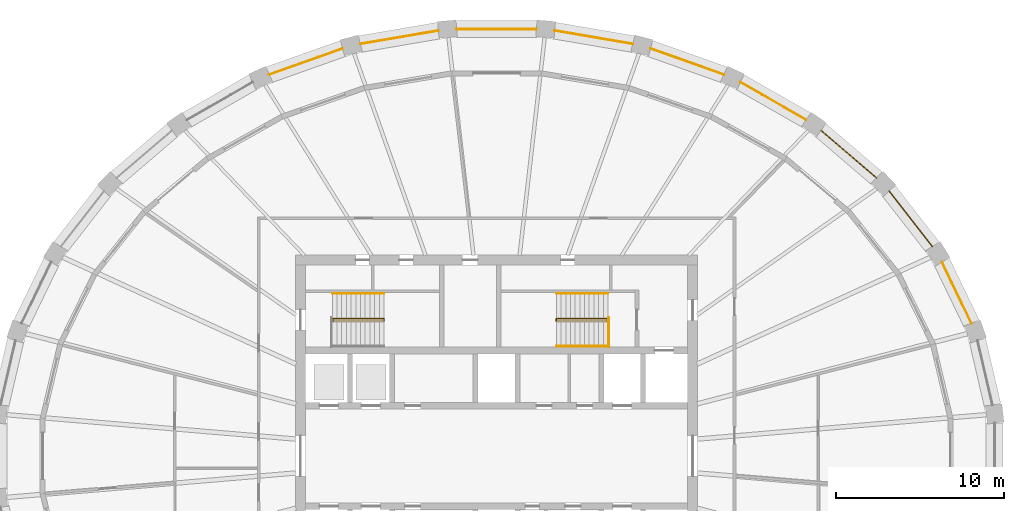
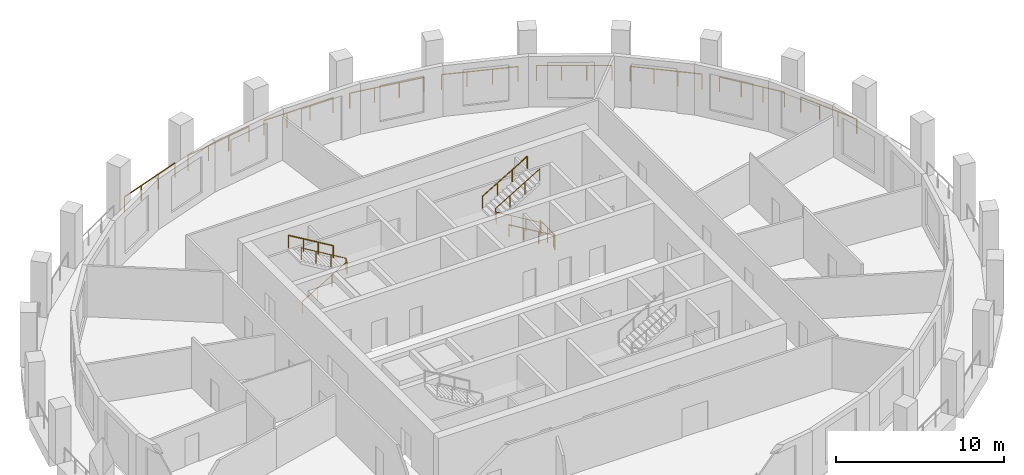
# One storey, part 9 of 10: 15 railings.
"""IFC4 building model written with IfcOpenShell, lengths in metres."""

import ifcopenshell
import ifcopenshell.guid

model = None  # the IFC model being written
_history = None  # IfcOwnerHistory: only IFC2X3 demands one
_inside = {}  # id of a spatial element -> (the spatial element, [elements in it])
_under = {}  # id of a project, library or spatial element -> (it, [spatial elements below it])
_declared = {}  # id of a project -> (the project, [libraries it declares])
_typed = {}  # id of a type object -> (the type object, [elements of that type])
_made_of = {}  # id of a material, layer set ... -> (it, [elements and type objects made of it])


def new_model(schema):
    """Start an empty IFC model of exactly this schema.

    Asked for "IFC4X3", IfcOpenShell would pick the latest addendum, in which some entities
    have other attributes; the version numbers below select the first issue.
    IFC2X3 requires an IfcOwnerHistory on every rooted entity: one is made here for all.
    """
    global model, _history
    if schema == "IFC4X3":
        model = ifcopenshell.file(schema_version=(4, 3, 0, 0))
    else:
        model = ifcopenshell.file(schema=schema)
    _inside.clear()
    _under.clear()
    _declared.clear()
    _typed.clear()
    _made_of.clear()
    _history = None
    if model.schema == "IFC2X3":
        org = make("IfcOrganization", Name="unknown")
        user = make(
            "IfcPersonAndOrganization",
            ThePerson=make("IfcPerson", FamilyName="unknown"),
            TheOrganization=org,
        )
        app = make(
            "IfcApplication",
            ApplicationDeveloper=org,
            Version="unknown",
            ApplicationFullName="unknown",
            ApplicationIdentifier="unknown",
        )
        _history = make(
            "IfcOwnerHistory",
            OwningUser=user,
            OwningApplication=app,
            ChangeAction="ADDED",
            CreationDate=0,
        )
    return model


def make(cls, **values):
    """One entity of the class cls with the attributes given. An attribute that is None is left unset."""
    return model.create_entity(
        cls, **{name: value for name, value in values.items() if value is not None}
    )


def rooted(cls, **values):
    """An entity with a GlobalId (a new one), such as an element, a storey or a relation."""
    return make(cls, GlobalId=ifcopenshell.guid.new(), OwnerHistory=_history, **values)


def si_unit(unit_type, name, prefix=None):
    """IfcSIUnit, for example si_unit("LENGTHUNIT", "METRE", prefix="MILLI")."""
    return make("IfcSIUnit", UnitType=unit_type, Prefix=prefix, Name=name)


def assignment(units):
    """IfcUnitAssignment: the units of a project."""
    return None if units is None else make("IfcUnitAssignment", Units=units)


def point(xyz):
    """IfcCartesianPoint."""
    return None if xyz is None else make("IfcCartesianPoint", Coordinates=xyz)


def direction(xyz):
    """IfcDirection."""
    return None if xyz is None else make("IfcDirection", DirectionRatios=xyz)


def frame(location, z_axis=None, x_axis=None):
    """IfcAxis2Placement3D, a coordinate frame: its origin and axes. An axis left out is left unset."""
    return make(
        "IfcAxis2Placement3D",
        Location=point(location),
        Axis=direction(z_axis),
        RefDirection=direction(x_axis),
    )


def frame_2d(location, x_axis=None):
    """IfcAxis2Placement2D, a coordinate frame in the plane: its origin and x axis."""
    return make(
        "IfcAxis2Placement2D", Location=point(location), RefDirection=direction(x_axis)
    )


def origin():
    """The frame at (0, 0, 0) with its axes left unset."""
    return frame((0.0, 0.0, 0.0))


def origin_2d():
    """The frame at (0, 0) in the plane with its x axis left unset."""
    return frame_2d((0.0, 0.0))


def place(relative_to, where):
    """IfcLocalPlacement: puts the frame where relative to a parent placement (None: the world)."""
    return make(
        "IfcLocalPlacement", PlacementRelTo=relative_to, RelativePlacement=where
    )


def context(
    kind, dimensions, precision=None, world=None, true_north=None, identifier=None
):
    """IfcGeometricRepresentationContext, for example the 3D "Model" context."""
    return make(
        "IfcGeometricRepresentationContext",
        ContextIdentifier=identifier,
        ContextType=kind,
        CoordinateSpaceDimension=dimensions,
        Precision=precision,
        WorldCoordinateSystem=world,
        TrueNorth=true_north,
    )


def subcontext(parent, identifier, kind, view, scale=None):
    """IfcGeometricRepresentationSubContext, for example "Body" below "Model"."""
    return make(
        "IfcGeometricRepresentationSubContext",
        ContextIdentifier=identifier,
        ContextType=kind,
        ParentContext=parent,
        TargetScale=scale,
        TargetView=view,
    )


def project(units=None, contexts=None):
    """IfcProject with its units and contexts."""
    return rooted(
        "IfcProject",
        Name="project",
        RepresentationContexts=contexts,
        UnitsInContext=assignment(units),
    )


def spatial(cls, under=None, at=None, **own):
    """A site, building, storey or space (cls), placed at a placement, below another one or the project."""
    s = rooted(cls, ObjectPlacement=at, **own)
    if under is not None:
        _under.setdefault(under.id(), (under, []))[1].append(s)
    return s


def profile(cls, at=None, kind="AREA", **sizes):
    """A parametric profile (cls). Its sizes go by their IFC names, for example OverallWidth=200.0."""
    return make(cls, ProfileType=kind, Position=at, **sizes)


def circle(**sizes):
    """IfcCircleProfileDef."""
    return profile("IfcCircleProfileDef", **sizes)


def extrude(swept, where, along, depth):
    """IfcExtrudedAreaSolid: the profile swept, set in the frame where, extruded along a direction by depth."""
    return make(
        "IfcExtrudedAreaSolid",
        SweptArea=swept,
        Position=where,
        ExtrudedDirection=direction(along),
        Depth=depth,
    )


def shape(context_of_items, identifier, shape_type, items):
    """IfcShapeRepresentation: the items that make up one representation, for example the "Body"."""
    return make(
        "IfcShapeRepresentation",
        ContextOfItems=context_of_items,
        RepresentationIdentifier=identifier,
        RepresentationType=shape_type,
        Items=items,
    )


def material(Name=None, Category=None):
    """IfcMaterial."""
    return make("IfcMaterial", Name=Name, Category=Category)


def made_of(thing, what):
    """Note that an element or type object is made of a material, layer set ...; save() writes the relation."""
    if what is not None:
        _made_of.setdefault(what.id(), (what, []))[1].append(thing)
    return thing


def type_object(cls, material=None, **own):
    """A type object (cls), such as IfcWallType, which elements share."""
    return made_of(rooted(cls, **own), material)


def element(
    cls,
    number,
    at=None,
    inside=None,
    cuts=None,
    type_object=None,
    material=None,
    context=None,
    identifier="Body",
    shape_type=None,
    held_by="IfcProductDefinitionShape",
    body=None,
    shapes=None,
    **own,
):
    """One element of the class cls, such as IfcWall. Its Tag is "e" and its number.

    at: its placement. inside: the storey or other place that contains it. cuts: it is an
    opening in that element (IfcRelVoidsElement). A single representation is given by context,
    identifier, shape_type and body (its items); several are given by shapes. held_by: the class
    of the entity that holds the representations. save() writes the other relations.
    """
    e = rooted(cls, Tag="e%d" % number, ObjectPlacement=at, **own)
    if body is not None:
        shapes = [shape(context, identifier, shape_type, body)]
    if shapes is not None:
        e.Representation = make(held_by, Representations=shapes)
    if inside is not None:
        _inside.setdefault(inside.id(), (inside, []))[1].append(e)
    if cuts is not None:
        rooted(
            "IfcRelVoidsElement", RelatingBuildingElement=cuts, RelatedOpeningElement=e
        )
    if type_object is not None:
        _typed.setdefault(type_object.id(), (type_object, []))[1].append(e)
    return made_of(e, material)


def aggregate(whole, parts):
    """IfcRelAggregates: a whole, such as a stair, and the parts it consists of."""
    return rooted("IfcRelAggregates", RelatingObject=whole, RelatedObjects=parts)


def save(model, path):
    """Write the relations noted so far, then the file.

    IfcRelAggregates (storeys below a building ...), IfcRelContainedInSpatialStructure (elements
    in a storey), IfcRelDefinesByType, IfcRelAssociatesMaterial and IfcRelDeclares: one each for
    every whole, place, type object, material and project.
    """
    for whole, parts in _under.values():
        aggregate(whole, parts)
    for where, things in _inside.values():
        rooted(
            "IfcRelContainedInSpatialStructure",
            RelatedElements=things,
            RelatingStructure=where,
        )
    for kind, things in _typed.values():
        rooted("IfcRelDefinesByType", RelatedObjects=things, RelatingType=kind)
    for what, things in _made_of.values():
        rooted("IfcRelAssociatesMaterial", RelatedObjects=things, RelatingMaterial=what)
    for by, libraries in _declared.values():
        rooted("IfcRelDeclares", RelatingContext=by, RelatedDefinitions=libraries)
    model.write(path)


model = new_model("IFC4")

# Units and contexts
model_context = context("Model", 3, precision=1e-05, world=origin(), true_north=direction((0.0, 1.0)))
body_context = subcontext(model_context, "Body", "Model", "MODEL_VIEW")
ifc_project = project(units=[si_unit("LENGTHUNIT", "METRE"), si_unit("AREAUNIT", "SQUARE_METRE"), si_unit("VOLUMEUNIT", "CUBIC_METRE"), si_unit("PLANEANGLEUNIT", "RADIAN"), si_unit("MASSUNIT", "GRAM", prefix="KILO")], contexts=[model_context])

# Site, building, storey
site_placement = place(None, origin())
site = spatial("IfcSite", under=ifc_project, at=site_placement, CompositionType="ELEMENT")
building_placement = place(site_placement, origin())
building = spatial("IfcBuilding", under=site, at=building_placement, Name="Halqa Exchange Tower", CompositionType="ELEMENT")
storey_placement = place(building_placement, frame((0.0, 0.0, 268.300048828125)))
storey = spatial("IfcBuildingStorey", under=building, at=storey_placement, Name="L62", CompositionType="ELEMENT", Elevation=268.300048828125)

# Railings
ifc_material = material(Name="Stainless steel", Category="steel")
railing_type_1 = type_object("IfcRailingType", Name="Guard 1100 stainless steel", PredefinedType="GUARDRAIL", material=ifc_material)
railing_1_placement = place(storey_placement, frame((28.343017578125, 7.927001953125, 0.0)))
element("IfcRailing", 1, at=railing_1_placement, inside=storey, type_object=railing_type_1, Name="Loggia guard 2", PredefinedType="GUARDRAIL", context=body_context, shape_type="SweptSolid", body=[
    extrude(circle(Radius=0.02392578125, at=origin_2d()), frame((0.0, 0.0, 1.076171875), z_axis=(-0.435140153369, 0.900362730751, 0.0), x_axis=(-0.900362730751, -0.435140153369, 0.0)), (0.0, 0.0, 1.0), 4.0498046875),
    extrude(circle(Radius=0.02099609375, at=origin_2d()), origin(), (0.0, 0.0, 1.0), 1.052001953125),
    extrude(circle(Radius=0.02099609375, at=origin_2d()), frame((-0.58740234375, 1.21533203125, 0.0)), (0.0, 0.0, 1.0), 1.052001953125),
    extrude(circle(Radius=0.02099609375, at=origin_2d()), frame((-1.1748046875, 2.430908203125, 0.0)), (0.0, 0.0, 1.0), 1.052001953125),
    extrude(circle(Radius=0.02099609375, at=origin_2d()), frame((-1.76220703125, 3.646240234375, 0.0)), (0.0, 0.0, 1.0), 1.052001953125),
])
railing_2_placement = place(storey_placement, frame((26.00341796875, 12.502197265625, 0.0)))
element("IfcRailing", 2, at=railing_2_placement, inside=storey, type_object=railing_type_1, Name="Loggia guard 3", PredefinedType="GUARDRAIL", context=body_context, shape_type="SweptSolid", body=[
    extrude(circle(Radius=0.02392578125, at=origin_2d()), frame((0.0, 0.0, 1.076171875), z_axis=(-0.614799253617, 0.788683636036, 0.0), x_axis=(-0.788683636036, -0.614799253617, 0.0)), (0.0, 0.0, 1.0), 4.191162109375),
    extrude(circle(Radius=0.02099609375, at=origin_2d()), origin(), (0.0, 0.0, 1.0), 1.052001953125),
    extrude(circle(Radius=0.02099609375, at=origin_2d()), frame((-0.85888671875, 1.101806640625, 0.0)), (0.0, 0.0, 1.0), 1.052001953125),
    extrude(circle(Radius=0.02099609375, at=origin_2d()), frame((-1.7177734375, 2.20361328125, 0.0)), (0.0, 0.0, 1.0), 1.052001953125),
    extrude(circle(Radius=0.02099609375, at=origin_2d()), frame((-2.57666015625, 3.305419921875, 0.0)), (0.0, 0.0, 1.0), 1.052001953125),
])
railing_3_placement = place(storey_placement, frame((22.6708984375, 16.599365234375, 0.0)))
element("IfcRailing", 3, at=railing_3_placement, inside=storey, type_object=railing_type_1, Name="Loggia guard 4", PredefinedType="GUARDRAIL", context=body_context, shape_type="SweptSolid", body=[
    extrude(circle(Radius=0.02392578125, at=origin_2d()), frame((0.0, 0.0, 1.076171875), z_axis=(-0.759232847893, 0.650819085983, 0.0), x_axis=(-0.650819085983, -0.759232847893, 0.0)), (0.0, 0.0, 1.0), 4.35302734375),
    extrude(circle(Radius=0.02099609375, at=origin_2d()), origin(), (0.0, 0.0, 1.0), 1.052001953125),
    extrude(circle(Radius=0.02099609375, at=origin_2d()), frame((-1.1015625, 0.9443359375, 0.0)), (0.0, 0.0, 1.0), 1.052001953125),
    extrude(circle(Radius=0.02099609375, at=origin_2d()), frame((-2.203369140625, 1.888671875, 0.0)), (0.0, 0.0, 1.0), 1.052001953125),
    extrude(circle(Radius=0.02099609375, at=origin_2d()), frame((-3.304931640625, 2.8330078125, 0.0)), (0.0, 0.0, 1.0), 1.052001953125),
])
railing_4_placement = place(storey_placement, frame((18.470947265625, 20.0634765625, 0.0)))
element("IfcRailing", 4, at=railing_4_placement, inside=storey, type_object=railing_type_1, Name="Loggia guard 5", PredefinedType="GUARDRAIL", context=body_context, shape_type="SweptSolid", body=[
    extrude(circle(Radius=0.02392578125, at=origin_2d()), frame((0.0, 0.0, 1.076171875), z_axis=(-0.867743048919, 0.497013079357, 0.0), x_axis=(-0.497013079357, -0.867743048919, 0.0)), (0.0, 0.0, 1.0), 4.51025390625),
    extrude(circle(Radius=0.02099609375, at=origin_2d()), origin(), (0.0, 0.0, 1.0), 1.052001953125),
    extrude(circle(Radius=0.02099609375, at=origin_2d()), frame((-1.3046875, 0.747314453125, 0.0)), (0.0, 0.0, 1.0), 1.052001953125),
    extrude(circle(Radius=0.02099609375, at=origin_2d()), frame((-2.609130859375, 1.494384765625, 0.0)), (0.0, 0.0, 1.0), 1.052001953125),
    extrude(circle(Radius=0.02099609375, at=origin_2d()), frame((-3.913818359375, 2.24169921875, 0.0)), (0.0, 0.0, 1.0), 1.052001953125),
])
railing_5_placement = place(storey_placement, frame((13.5615234375, 22.762451171875, 0.0)))
element("IfcRailing", 5, at=railing_5_placement, inside=storey, type_object=railing_type_1, Name="Loggia guard 6", PredefinedType="GUARDRAIL", context=body_context, shape_type="SweptSolid", body=[
    extrude(circle(Radius=0.02392578125, at=origin_2d()), frame((0.0, 0.0, 1.076171875), z_axis=(-0.942353373352, 0.334619365447, 0.0), x_axis=(-0.334619365447, -0.942353373352, 0.0)), (0.0, 0.0, 1.0), 4.640380859375),
    extrude(circle(Radius=0.02099609375, at=origin_2d()), origin(), (0.0, 0.0, 1.0), 1.052001953125),
    extrude(circle(Radius=0.02099609375, at=origin_2d()), frame((-1.45751953125, 0.517578125, 0.0)), (0.0, 0.0, 1.0), 1.052001953125),
    extrude(circle(Radius=0.02099609375, at=origin_2d()), frame((-2.915283203125, 1.03515625, 0.0)), (0.0, 0.0, 1.0), 1.052001953125),
    extrude(circle(Radius=0.02099609375, at=origin_2d()), frame((-4.372802734375, 1.552734375, 0.0)), (0.0, 0.0, 1.0), 1.052001953125),
])
railing_6_placement = place(storey_placement, frame((8.128173828125, 24.591552734375, 0.0)))
element("IfcRailing", 6, at=railing_6_placement, inside=storey, type_object=railing_type_1, Name="Loggia guard 7", PredefinedType="GUARDRAIL", context=body_context, shape_type="SweptSolid", body=[
    extrude(circle(Radius=0.02392578125, at=origin_2d()), frame((0.0, 0.0, 1.076171875), z_axis=(-0.985776950658, 0.168058928803, 0.0), x_axis=(-0.168058928803, -0.985776950658, 0.0)), (0.0, 0.0, 1.0), 4.7255859375),
    extrude(circle(Radius=0.02099609375, at=origin_2d()), origin(), (0.0, 0.0, 1.0), 1.052001953125),
    extrude(circle(Radius=0.02099609375, at=origin_2d()), frame((-1.552734375, 0.2646484375, 0.0)), (0.0, 0.0, 1.0), 1.052001953125),
    extrude(circle(Radius=0.02099609375, at=origin_2d()), frame((-3.105712890625, 0.529541015625, 0.0)), (0.0, 0.0, 1.0), 1.052001953125),
    extrude(circle(Radius=0.02099609375, at=origin_2d()), frame((-4.658447265625, 0.794189453125, 0.0)), (0.0, 0.0, 1.0), 1.052001953125),
])
railing_7_placement = place(storey_placement, frame((2.377685546875, 25.478271484375, 0.0)))
element("IfcRailing", 7, at=railing_7_placement, inside=storey, type_object=railing_type_1, Name="Loggia guard 8", PredefinedType="GUARDRAIL", context=body_context, shape_type="SweptSolid", body=[
    extrude(circle(Radius=0.02392578125, at=origin_2d()), frame((0.0, 0.0, 1.076171875), z_axis=(-1.0, 0.0, 0.0), x_axis=(0.0, -1.0, 0.0)), (0.0, 0.0, 1.0), 4.75537109375),
    extrude(circle(Radius=0.02099609375, at=origin_2d()), origin(), (0.0, 0.0, 1.0), 1.052001953125),
    extrude(circle(Radius=0.02099609375, at=origin_2d()), frame((-1.585205078125, 0.0, 0.0)), (0.0, 0.0, 1.0), 1.052001953125),
    extrude(circle(Radius=0.02099609375, at=origin_2d()), frame((-3.170166015625, 0.0, 0.0)), (0.0, 0.0, 1.0), 1.052001953125),
    extrude(circle(Radius=0.02099609375, at=origin_2d()), frame((-4.75537109375, 0.0, 0.0)), (0.0, 0.0, 1.0), 1.052001953125),
])
railing_8_placement = place(storey_placement, frame((-3.4697265625, 25.3857421875, 0.0)))
element("IfcRailing", 8, at=railing_8_placement, inside=storey, type_object=railing_type_1, Name="Loggia guard 9", PredefinedType="GUARDRAIL", context=body_context, shape_type="SweptSolid", body=[
    extrude(circle(Radius=0.02392578125, at=origin_2d()), frame((0.0, 0.0, 1.076171875), z_axis=(-0.985776950658, -0.168058928803, 0.0), x_axis=(0.168058928803, -0.985776950658, 0.0)), (0.0, 0.0, 1.0), 4.7255859375),
    extrude(circle(Radius=0.02099609375, at=origin_2d()), origin(), (0.0, 0.0, 1.0), 1.052001953125),
    extrude(circle(Radius=0.02099609375, at=origin_2d()), frame((-1.552734375, -0.2646484375, 0.0)), (0.0, 0.0, 1.0), 1.052001953125),
    extrude(circle(Radius=0.02099609375, at=origin_2d()), frame((-3.105712890625, -0.529541015625, 0.0)), (0.0, 0.0, 1.0), 1.052001953125),
    extrude(circle(Radius=0.02099609375, at=origin_2d()), frame((-4.658447265625, -0.794189453125, 0.0)), (0.0, 0.0, 1.0), 1.052001953125),
])
railing_9_placement = place(storey_placement, frame((-9.188720703125, 24.315185546875, 0.0)))
element("IfcRailing", 9, at=railing_9_placement, inside=storey, type_object=railing_type_1, Name="Loggia guard 10", PredefinedType="GUARDRAIL", context=body_context, shape_type="SweptSolid", body=[
    extrude(circle(Radius=0.02392578125, at=origin_2d()), frame((0.0, 0.0, 1.076171875), z_axis=(-0.942353373352, -0.334619365447, 0.0), x_axis=(0.334619365447, -0.942353373352, 0.0)), (0.0, 0.0, 1.0), 4.640380859375),
    extrude(circle(Radius=0.02099609375, at=origin_2d()), origin(), (0.0, 0.0, 1.0), 1.052001953125),
    extrude(circle(Radius=0.02099609375, at=origin_2d()), frame((-1.45751953125, -0.517578125, 0.0)), (0.0, 0.0, 1.0), 1.052001953125),
    extrude(circle(Radius=0.02099609375, at=origin_2d()), frame((-2.915283203125, -1.03515625, 0.0)), (0.0, 0.0, 1.0), 1.052001953125),
    extrude(circle(Radius=0.02099609375, at=origin_2d()), frame((-4.372802734375, -1.552734375, 0.0)), (0.0, 0.0, 1.0), 1.052001953125),
])
railing_type_2 = type_object("IfcRailingType", Name="Stair handrail 900", PredefinedType="HANDRAIL", material=ifc_material)
railing_10_placement = place(storey_placement, frame((-9.800048828125, 8.06005859375, 0.166748046875)))
element("IfcRailing", 10, at=railing_10_placement, inside=storey, type_object=railing_type_2, Name="Handrail ST1.1", PredefinedType="HANDRAIL", context=body_context, shape_type="SweptSolid", body=[
    extrude(circle(Radius=0.02392578125, at=origin_2d()), frame((0.0, 0.0, 0.8759765625), z_axis=(0.859308565015, 0.0, 0.511457515432), x_axis=(0.0, 1.0, 0.0)), (0.0, 0.0, 1.0), 3.58447265625),
    extrude(circle(Radius=0.02392578125, at=origin_2d()), frame((3.080078125, 0.0, 2.708984375), z_axis=(0.0, 0.614500226555, 0.788916644243), x_axis=(-1.0, 0.0, 0.0)), (0.0, 0.0, 1.0), 0.21142578125),
    extrude(circle(Radius=0.02392578125, at=origin_2d()), frame((3.080078125, 0.1298828125, 2.8759765625), z_axis=(-0.859308565015, 0.0, 0.511457515432), x_axis=(0.0, -1.0, 0.0)), (0.0, 0.0, 1.0), 3.58447265625),
    extrude(circle(Radius=0.02099609375, at=origin_2d()), origin(), (0.0, 0.0, 1.0), 0.851806640625),
    extrude(circle(Radius=0.02099609375, at=origin_2d()), frame((1.026611328125, 0.0, 0.611083984375)), (0.0, 0.0, 1.0), 0.851806640625),
    extrude(circle(Radius=0.02099609375, at=origin_2d()), frame((2.053466796875, 0.0, 1.22216796875)), (0.0, 0.0, 1.0), 0.851806640625),
    extrude(circle(Radius=0.02099609375, at=origin_2d()), frame((3.080078125, 0.0, 1.833251953125)), (0.0, 0.0, 1.0), 0.851806640625),
    extrude(circle(Radius=0.02099609375, at=origin_2d()), frame((3.080078125, 0.1298828125, 2.0)), (0.0, 0.0, 1.0), 0.851806640625),
    extrude(circle(Radius=0.02099609375, at=origin_2d()), frame((2.053466796875, 0.1298828125, 2.611083984375)), (0.0, 0.0, 1.0), 0.851806640625),
    extrude(circle(Radius=0.02099609375, at=origin_2d()), frame((1.026611328125, 0.1298828125, 3.22216796875)), (0.0, 0.0, 1.0), 0.851806640625),
    extrude(circle(Radius=0.02099609375, at=origin_2d()), frame((0.0, 0.1298828125, 3.833251953125)), (0.0, 0.0, 1.0), 0.851806640625),
])
railing_11_placement = place(storey_placement, frame((-6.719970703125, 9.699951171875, 2.166748046875)))
element("IfcRailing", 11, at=railing_11_placement, inside=storey, type_object=railing_type_2, Name="Handrail ST1.3", PredefinedType="HANDRAIL", context=body_context, shape_type="SweptSolid", body=[
    extrude(circle(Radius=0.02392578125, at=origin_2d()), frame((0.0, 0.0, 0.8759765625), z_axis=(-0.859308565015, 0.0, 0.511457515432), x_axis=(0.0, -1.0, 0.0)), (0.0, 0.0, 1.0), 3.58447265625),
    extrude(circle(Radius=0.02099609375, at=origin_2d()), origin(), (0.0, 0.0, 1.0), 0.851806640625),
    extrude(circle(Radius=0.02099609375, at=origin_2d()), frame((-1.026611328125, 0.0, 0.611083984375)), (0.0, 0.0, 1.0), 0.851806640625),
    extrude(circle(Radius=0.02099609375, at=origin_2d()), frame((-2.053466796875, 0.0, 1.22216796875)), (0.0, 0.0, 1.0), 0.851806640625),
    extrude(circle(Radius=0.02099609375, at=origin_2d()), frame((-3.080078125, 0.0, 1.833251953125)), (0.0, 0.0, 1.0), 0.851806640625),
])
railing_12_placement = place(storey_placement, frame((6.64990234375, 8.06005859375, 0.166748046875)))
element("IfcRailing", 12, at=railing_12_placement, inside=storey, type_object=railing_type_2, Name="Handrail ST2.1", PredefinedType="HANDRAIL", context=body_context, shape_type="SweptSolid", body=[
    extrude(circle(Radius=0.02392578125, at=origin_2d()), frame((0.0, 0.0, 0.8759765625), z_axis=(-0.859290745958, 0.0, 0.51148745235), x_axis=(0.0, -1.0, 0.0)), (0.0, 0.0, 1.0), 3.584228515625),
    extrude(circle(Radius=0.02392578125, at=origin_2d()), frame((-3.079833984375, 0.0, 2.708984375), z_axis=(0.0, 0.614500226555, 0.788916644243), x_axis=(-1.0, 0.0, 0.0)), (0.0, 0.0, 1.0), 0.21142578125),
    extrude(circle(Radius=0.02392578125, at=origin_2d()), frame((-3.079833984375, 0.1298828125, 2.8759765625), z_axis=(0.859290745958, 0.0, 0.51148745235), x_axis=(0.0, 1.0, 0.0)), (0.0, 0.0, 1.0), 3.584228515625),
    extrude(circle(Radius=0.02099609375, at=origin_2d()), origin(), (0.0, 0.0, 1.0), 0.851806640625),
    extrude(circle(Radius=0.02099609375, at=origin_2d()), frame((-1.026611328125, 0.0, 0.611083984375)), (0.0, 0.0, 1.0), 0.851806640625),
    extrude(circle(Radius=0.02099609375, at=origin_2d()), frame((-2.05322265625, 0.0, 1.22216796875)), (0.0, 0.0, 1.0), 0.851806640625),
    extrude(circle(Radius=0.02099609375, at=origin_2d()), frame((-3.079833984375, 0.0, 1.833251953125)), (0.0, 0.0, 1.0), 0.851806640625),
    extrude(circle(Radius=0.02099609375, at=origin_2d()), frame((-3.079833984375, 0.1298828125, 2.0)), (0.0, 0.0, 1.0), 0.851806640625),
    extrude(circle(Radius=0.02099609375, at=origin_2d()), frame((-2.05322265625, 0.1298828125, 2.611083984375)), (0.0, 0.0, 1.0), 0.851806640625),
    extrude(circle(Radius=0.02099609375, at=origin_2d()), frame((-1.026611328125, 0.1298828125, 3.22216796875)), (0.0, 0.0, 1.0), 0.851806640625),
    extrude(circle(Radius=0.02099609375, at=origin_2d()), frame((0.0, 0.1298828125, 3.833251953125)), (0.0, 0.0, 1.0), 0.851806640625),
])
railing_13_placement = place(storey_placement, frame((6.64990234375, 6.550048828125, 0.166748046875)))
element("IfcRailing", 13, at=railing_13_placement, inside=storey, type_object=railing_type_2, Name="Handrail ST2.2", PredefinedType="HANDRAIL", context=body_context, shape_type="SweptSolid", body=[
    extrude(circle(Radius=0.02392578125, at=origin_2d()), frame((0.0, 0.0, 0.8759765625), z_axis=(-0.859290745958, 0.0, 0.51148745235), x_axis=(0.0, -1.0, 0.0)), (0.0, 0.0, 1.0), 3.584228515625),
    extrude(circle(Radius=0.02099609375, at=origin_2d()), origin(), (0.0, 0.0, 1.0), 0.851806640625),
    extrude(circle(Radius=0.02099609375, at=origin_2d()), frame((-1.026611328125, 0.0, 0.611083984375)), (0.0, 0.0, 1.0), 0.851806640625),
    extrude(circle(Radius=0.02099609375, at=origin_2d()), frame((-2.05322265625, 0.0, 1.22216796875)), (0.0, 0.0, 1.0), 0.851806640625),
    extrude(circle(Radius=0.02099609375, at=origin_2d()), frame((-3.079833984375, 0.0, 1.833251953125)), (0.0, 0.0, 1.0), 0.851806640625),
])
railing_14_placement = place(storey_placement, frame((3.570068359375, 9.699951171875, 2.166748046875)))
element("IfcRailing", 14, at=railing_14_placement, inside=storey, type_object=railing_type_2, Name="Handrail ST2.3", PredefinedType="HANDRAIL", context=body_context, shape_type="SweptSolid", body=[
    extrude(circle(Radius=0.02392578125, at=origin_2d()), frame((0.0, 0.0, 0.8759765625), z_axis=(0.859290745958, 0.0, 0.51148745235), x_axis=(0.0, 1.0, 0.0)), (0.0, 0.0, 1.0), 3.584228515625),
    extrude(circle(Radius=0.02099609375, at=origin_2d()), origin(), (0.0, 0.0, 1.0), 0.851806640625),
    extrude(circle(Radius=0.02099609375, at=origin_2d()), frame((1.026611328125, 0.0, 0.611083984375)), (0.0, 0.0, 1.0), 0.851806640625),
    extrude(circle(Radius=0.02099609375, at=origin_2d()), frame((2.05322265625, 0.0, 1.22216796875)), (0.0, 0.0, 1.0), 0.851806640625),
    extrude(circle(Radius=0.02099609375, at=origin_2d()), frame((3.079833984375, 0.0, 1.833251953125)), (0.0, 0.0, 1.0), 0.851806640625),
])
railing_type_3 = type_object("IfcRailingType", Name="Stair well guard 1100", PredefinedType="GUARDRAIL", material=ifc_material)
railing_15_placement = place(storey_placement, frame((6.699951171875, 6.5, 0.0)))
element("IfcRailing", 15, at=railing_15_placement, inside=storey, type_object=railing_type_3, Name="Guard ST2 well", PredefinedType="GUARDRAIL", context=body_context, shape_type="SweptSolid", body=[
    extrude(circle(Radius=0.02392578125, at=origin_2d()), frame((0.0, 0.0, 1.076171875), z_axis=(0.0, 1.0, 0.0), x_axis=(-1.0, 0.0, 0.0)), (0.0, 0.0, 1.0), 1.75),
    extrude(circle(Radius=0.02099609375, at=origin_2d()), origin(), (0.0, 0.0, 1.0), 1.052001953125),
    extrude(circle(Radius=0.02099609375, at=origin_2d()), frame((0.0, 0.875, 0.0)), (0.0, 0.0, 1.0), 1.052001953125),
    extrude(circle(Radius=0.02099609375, at=origin_2d()), frame((0.0, 1.75, 0.0)), (0.0, 0.0, 1.0), 1.052001953125),
])

save(model, "model.ifc")
